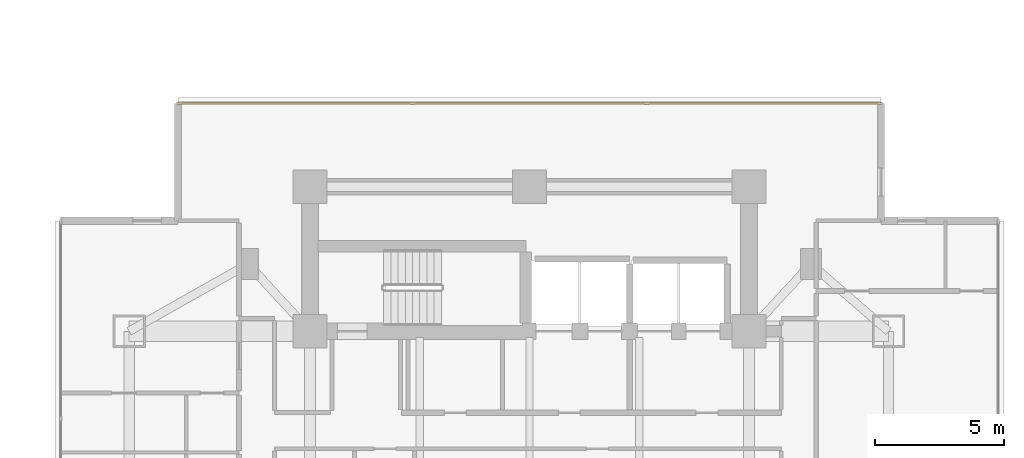
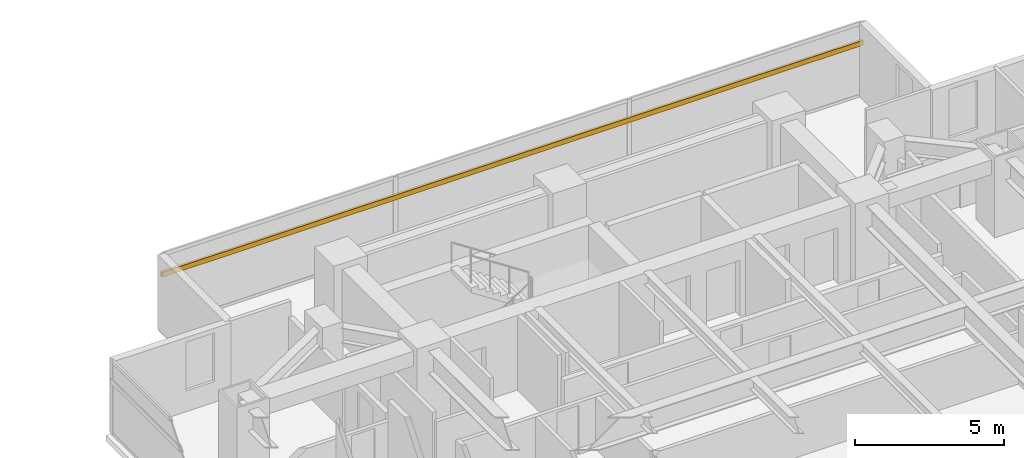
# One storey, part 24 of 24: 1 shading device.
"""IFC4 building model written with IfcOpenShell, lengths in metres."""

import ifcopenshell
import ifcopenshell.guid

model = None  # the IFC model being written
_history = None  # IfcOwnerHistory: only IFC2X3 demands one
_inside = {}  # id of a spatial element -> (the spatial element, [elements in it])
_under = {}  # id of a project, library or spatial element -> (it, [spatial elements below it])
_declared = {}  # id of a project -> (the project, [libraries it declares])
_typed = {}  # id of a type object -> (the type object, [elements of that type])
_made_of = {}  # id of a material, layer set ... -> (it, [elements and type objects made of it])


def new_model(schema):
    """Start an empty IFC model of exactly this schema.

    Asked for "IFC4X3", IfcOpenShell would pick the latest addendum, in which some entities
    have other attributes; the version numbers below select the first issue.
    IFC2X3 requires an IfcOwnerHistory on every rooted entity: one is made here for all.
    """
    global model, _history
    if schema == "IFC4X3":
        model = ifcopenshell.file(schema_version=(4, 3, 0, 0))
    else:
        model = ifcopenshell.file(schema=schema)
    _inside.clear()
    _under.clear()
    _declared.clear()
    _typed.clear()
    _made_of.clear()
    _history = None
    if model.schema == "IFC2X3":
        org = make("IfcOrganization", Name="unknown")
        user = make(
            "IfcPersonAndOrganization",
            ThePerson=make("IfcPerson", FamilyName="unknown"),
            TheOrganization=org,
        )
        app = make(
            "IfcApplication",
            ApplicationDeveloper=org,
            Version="unknown",
            ApplicationFullName="unknown",
            ApplicationIdentifier="unknown",
        )
        _history = make(
            "IfcOwnerHistory",
            OwningUser=user,
            OwningApplication=app,
            ChangeAction="ADDED",
            CreationDate=0,
        )
    return model


def make(cls, **values):
    """One entity of the class cls with the attributes given. An attribute that is None is left unset."""
    return model.create_entity(
        cls, **{name: value for name, value in values.items() if value is not None}
    )


def rooted(cls, **values):
    """An entity with a GlobalId (a new one), such as an element, a storey or a relation."""
    return make(cls, GlobalId=ifcopenshell.guid.new(), OwnerHistory=_history, **values)


def si_unit(unit_type, name, prefix=None):
    """IfcSIUnit, for example si_unit("LENGTHUNIT", "METRE", prefix="MILLI")."""
    return make("IfcSIUnit", UnitType=unit_type, Prefix=prefix, Name=name)


def assignment(units):
    """IfcUnitAssignment: the units of a project."""
    return None if units is None else make("IfcUnitAssignment", Units=units)


def point(xyz):
    """IfcCartesianPoint."""
    return None if xyz is None else make("IfcCartesianPoint", Coordinates=xyz)


def direction(xyz):
    """IfcDirection."""
    return None if xyz is None else make("IfcDirection", DirectionRatios=xyz)


def frame(location, z_axis=None, x_axis=None):
    """IfcAxis2Placement3D, a coordinate frame: its origin and axes. An axis left out is left unset."""
    return make(
        "IfcAxis2Placement3D",
        Location=point(location),
        Axis=direction(z_axis),
        RefDirection=direction(x_axis),
    )


def frame_2d(location, x_axis=None):
    """IfcAxis2Placement2D, a coordinate frame in the plane: its origin and x axis."""
    return make(
        "IfcAxis2Placement2D", Location=point(location), RefDirection=direction(x_axis)
    )


def origin():
    """The frame at (0, 0, 0) with its axes left unset."""
    return frame((0.0, 0.0, 0.0))


def origin_2d():
    """The frame at (0, 0) in the plane with its x axis left unset."""
    return frame_2d((0.0, 0.0))


def place(relative_to, where):
    """IfcLocalPlacement: puts the frame where relative to a parent placement (None: the world)."""
    return make(
        "IfcLocalPlacement", PlacementRelTo=relative_to, RelativePlacement=where
    )


def context(
    kind, dimensions, precision=None, world=None, true_north=None, identifier=None
):
    """IfcGeometricRepresentationContext, for example the 3D "Model" context."""
    return make(
        "IfcGeometricRepresentationContext",
        ContextIdentifier=identifier,
        ContextType=kind,
        CoordinateSpaceDimension=dimensions,
        Precision=precision,
        WorldCoordinateSystem=world,
        TrueNorth=true_north,
    )


def subcontext(parent, identifier, kind, view, scale=None):
    """IfcGeometricRepresentationSubContext, for example "Body" below "Model"."""
    return make(
        "IfcGeometricRepresentationSubContext",
        ContextIdentifier=identifier,
        ContextType=kind,
        ParentContext=parent,
        TargetScale=scale,
        TargetView=view,
    )


def project(units=None, contexts=None):
    """IfcProject with its units and contexts."""
    return rooted(
        "IfcProject",
        Name="project",
        RepresentationContexts=contexts,
        UnitsInContext=assignment(units),
    )


def spatial(cls, under=None, at=None, **own):
    """A site, building, storey or space (cls), placed at a placement, below another one or the project."""
    s = rooted(cls, ObjectPlacement=at, **own)
    if under is not None:
        _under.setdefault(under.id(), (under, []))[1].append(s)
    return s


def profile(cls, at=None, kind="AREA", **sizes):
    """A parametric profile (cls). Its sizes go by their IFC names, for example OverallWidth=200.0."""
    return make(cls, ProfileType=kind, Position=at, **sizes)


def rectangle(**sizes):
    """IfcRectangleProfileDef."""
    return profile("IfcRectangleProfileDef", **sizes)


def extrude(swept, where, along, depth):
    """IfcExtrudedAreaSolid: the profile swept, set in the frame where, extruded along a direction by depth."""
    return make(
        "IfcExtrudedAreaSolid",
        SweptArea=swept,
        Position=where,
        ExtrudedDirection=direction(along),
        Depth=depth,
    )


def shape(context_of_items, identifier, shape_type, items):
    """IfcShapeRepresentation: the items that make up one representation, for example the "Body"."""
    return make(
        "IfcShapeRepresentation",
        ContextOfItems=context_of_items,
        RepresentationIdentifier=identifier,
        RepresentationType=shape_type,
        Items=items,
    )


def material(Name=None, Category=None):
    """IfcMaterial."""
    return make("IfcMaterial", Name=Name, Category=Category)


def material_profile(
    of_material, cross_section, Name=None, Category=None, Priority=None
):
    """IfcMaterialProfile: a cross section and its material."""
    return make(
        "IfcMaterialProfile",
        Name=Name,
        Material=of_material,
        Profile=cross_section,
        Priority=Priority,
        Category=Category,
    )


def profile_set(profiles, Name=None, composite=None):
    """IfcMaterialProfileSet."""
    return make(
        "IfcMaterialProfileSet",
        Name=Name,
        MaterialProfiles=profiles,
        CompositeProfile=composite,
    )


def made_of(thing, what):
    """Note that an element or type object is made of a material, layer set ...; save() writes the relation."""
    if what is not None:
        _made_of.setdefault(what.id(), (what, []))[1].append(thing)
    return thing


def type_object(cls, material=None, **own):
    """A type object (cls), such as IfcWallType, which elements share."""
    return made_of(rooted(cls, **own), material)


def element(
    cls,
    number,
    at=None,
    inside=None,
    cuts=None,
    type_object=None,
    material=None,
    context=None,
    identifier="Body",
    shape_type=None,
    held_by="IfcProductDefinitionShape",
    body=None,
    shapes=None,
    **own,
):
    """One element of the class cls, such as IfcWall. Its Tag is "e" and its number.

    at: its placement. inside: the storey or other place that contains it. cuts: it is an
    opening in that element (IfcRelVoidsElement). A single representation is given by context,
    identifier, shape_type and body (its items); several are given by shapes. held_by: the class
    of the entity that holds the representations. save() writes the other relations.
    """
    e = rooted(cls, Tag="e%d" % number, ObjectPlacement=at, **own)
    if body is not None:
        shapes = [shape(context, identifier, shape_type, body)]
    if shapes is not None:
        e.Representation = make(held_by, Representations=shapes)
    if inside is not None:
        _inside.setdefault(inside.id(), (inside, []))[1].append(e)
    if cuts is not None:
        rooted(
            "IfcRelVoidsElement", RelatingBuildingElement=cuts, RelatedOpeningElement=e
        )
    if type_object is not None:
        _typed.setdefault(type_object.id(), (type_object, []))[1].append(e)
    return made_of(e, material)


def aggregate(whole, parts):
    """IfcRelAggregates: a whole, such as a stair, and the parts it consists of."""
    return rooted("IfcRelAggregates", RelatingObject=whole, RelatedObjects=parts)


def save(model, path):
    """Write the relations noted so far, then the file.

    IfcRelAggregates (storeys below a building ...), IfcRelContainedInSpatialStructure (elements
    in a storey), IfcRelDefinesByType, IfcRelAssociatesMaterial and IfcRelDeclares: one each for
    every whole, place, type object, material and project.
    """
    for whole, parts in _under.values():
        aggregate(whole, parts)
    for where, things in _inside.values():
        rooted(
            "IfcRelContainedInSpatialStructure",
            RelatedElements=things,
            RelatingStructure=where,
        )
    for kind, things in _typed.values():
        rooted("IfcRelDefinesByType", RelatedObjects=things, RelatingType=kind)
    for what, things in _made_of.values():
        rooted("IfcRelAssociatesMaterial", RelatedObjects=things, RelatingMaterial=what)
    for by, libraries in _declared.values():
        rooted("IfcRelDeclares", RelatingContext=by, RelatedDefinitions=libraries)
    model.write(path)


model = new_model("IFC4")

# Units and contexts
model_context = context("Model", 3, precision=1e-05, world=origin(), true_north=direction((0.0, 1.0)))
body_context = subcontext(model_context, "Body", "Model", "MODEL_VIEW")
ifc_project = project(units=[si_unit("LENGTHUNIT", "METRE"), si_unit("AREAUNIT", "SQUARE_METRE"), si_unit("VOLUMEUNIT", "CUBIC_METRE"), si_unit("PLANEANGLEUNIT", "RADIAN"), si_unit("MASSUNIT", "GRAM", prefix="KILO")], contexts=[model_context])

# Site, building, storey
site_placement = place(None, origin())
site = spatial("IfcSite", under=ifc_project, at=site_placement, CompositionType="ELEMENT")
building_placement = place(site_placement, origin())
building = spatial("IfcBuilding", under=site, at=building_placement, Name="Mirazonda Arch Towers", CompositionType="ELEMENT")
storey_placement = place(building_placement, frame((0.0, 0.0, 62.0)))
storey = spatial("IfcBuildingStorey", under=building, at=storey_placement, Name="L17", CompositionType="ELEMENT", Elevation=62.0)

# Shading device
ifc_material = material(Name="Kiln-Fired Architectural Terracotta", Category="masonry")
ifc_material_profile = material_profile(ifc_material, rectangle(XDim=0.10009765625, YDim=0.199951171875, at=origin_2d()), Name="TERRA-BAG-100x200")
ifc_profile_set = profile_set([ifc_material_profile], Name="Kiln-Fired Architectural Terracotta")
shading_device_type = type_object("IfcShadingDeviceType", Name="BAGUETTE-2", PredefinedType="USERDEFINED", material=ifc_profile_set)
shading_device_placement = place(storey_placement, frame((62.89208984375, 44.02587890625, 2.188720703125), z_axis=(1.0, 0.0, 0.0), x_axis=(0.0, 1.0, 0.0)))
element("IfcShadingDevice", 1, at=shading_device_placement, inside=storey, type_object=shading_device_type, Name="L17 Glazed Terracotta Sun-Screen Baguette CW-L17-T2-N", ObjectType="BAGUETTE", PredefinedType="USERDEFINED", context=body_context, shape_type="SweptSolid", body=[
    extrude(rectangle(XDim=0.10009765625, YDim=0.199951171875, at=origin_2d()), origin(), (0.0, 0.0, 1.0), 27.2158203125),
])

save(model, "model.ifc")
